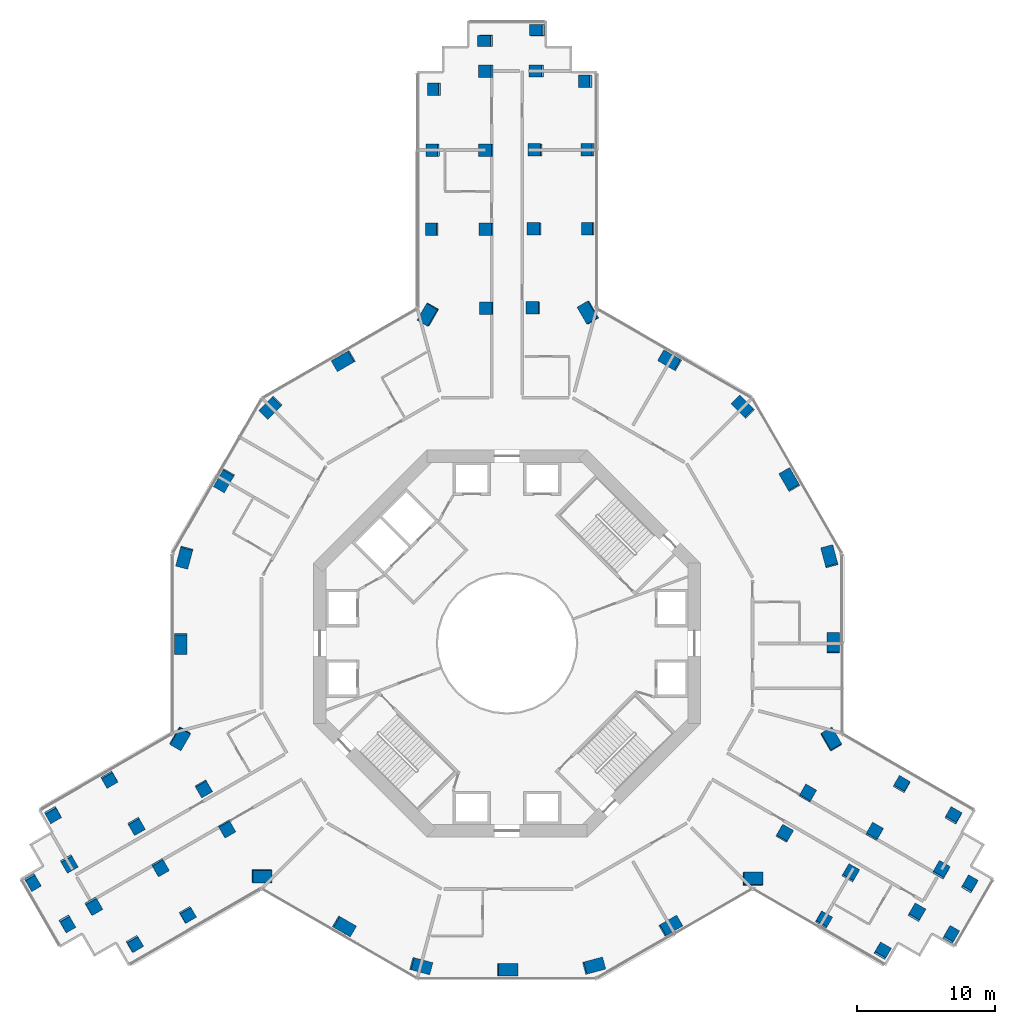
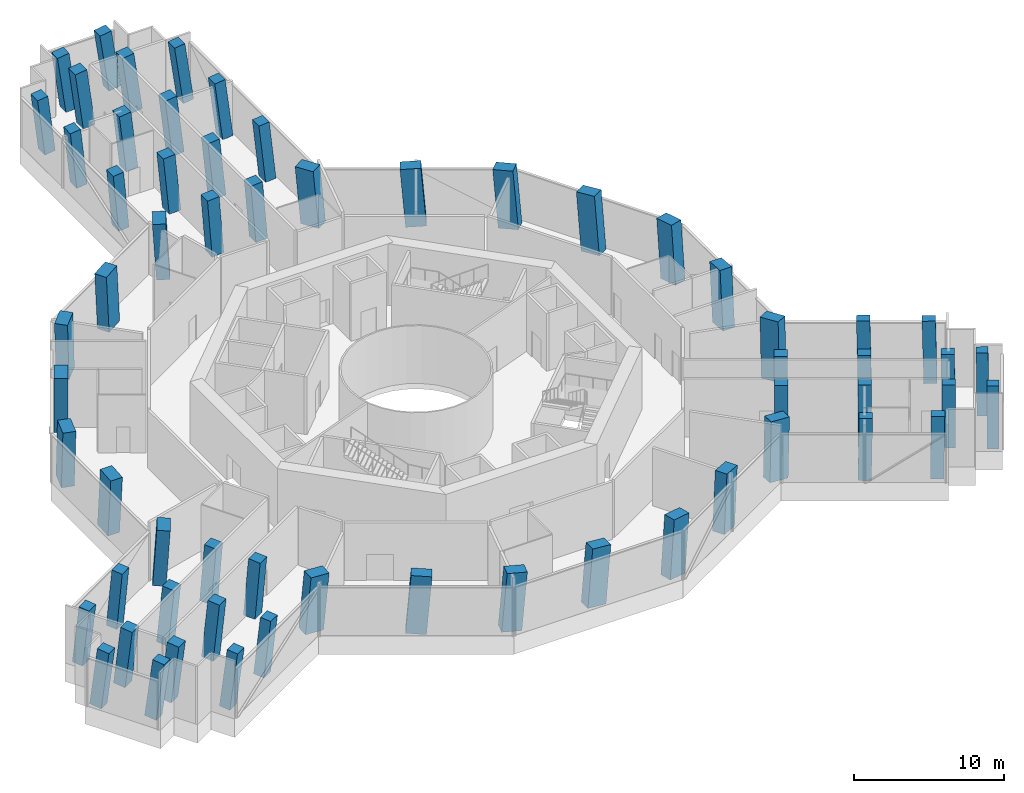
# One storey, part 1 of 16: 61 columns.
"""IFC4 building model written with IfcOpenShell, lengths in metres."""

from ifc_helpers import new_model, si_unit, direction, frame, origin, origin_2d, place, context, subcontext, project, spatial, rectangle, extrude, material, material_profile, profile_set, type_object, element, save


model = new_model("IFC4")

# Units and contexts
model_context = context("Model", 3, precision=1e-05, world=origin(), true_north=direction((0.0, 1.0)))
body_context = subcontext(model_context, "Body", "Model", "MODEL_VIEW")
ifc_project = project(units=[si_unit("LENGTHUNIT", "METRE"), si_unit("AREAUNIT", "SQUARE_METRE"), si_unit("VOLUMEUNIT", "CUBIC_METRE"), si_unit("PLANEANGLEUNIT", "RADIAN"), si_unit("MASSUNIT", "GRAM", prefix="KILO")], contexts=[model_context])

# Site, building, storey
site_placement = place(None, origin())
site = spatial("IfcSite", under=ifc_project, at=site_placement, CompositionType="ELEMENT")
building_placement = place(site_placement, origin())
building = spatial("IfcBuilding", under=site, at=building_placement, Name="Verdalira Terraces Hotel", CompositionType="ELEMENT")
storey_placement = place(building_placement, frame((0.0, 0.0, 34.0)))
storey = spatial("IfcBuildingStorey", under=building, at=storey_placement, Name="L06", CompositionType="ELEMENT", Elevation=34.0)

# Columns
ifc_material_1 = material(Name="Concrete C80", Category="concrete")
ifc_material_profile_1 = material_profile(ifc_material_1, rectangle(XDim=1.399902, YDim=0.899902, at=origin_2d()), Name="RC 1400X900")
ifc_profile_set_1 = profile_set([ifc_material_profile_1], Name="Concrete C80")
column_type_1 = type_object("IfcColumnType", Name="Column RC 1400X900 C80", PredefinedType="COLUMN", material=ifc_profile_set_1)
column_1_placement = place(storey_placement, frame((-5.679932, 23.784912, 0.0), z_axis=(-0.079276135, -0.019663387, 0.996658741), x_axis=(0.496015227, 0.866470496, 0.056548859)))
element("IfcColumn", 1, at=column_1_placement, inside=storey, type_object=column_type_1, Name="Column C07", PredefinedType="COLUMN", context=body_context, shape_type="SweptSolid", body=[
    extrude(rectangle(XDim=1.399902, YDim=0.899902, at=origin_2d()), origin(), (0.0, 0.0, 1.0), 4.705566),
])
column_2_placement = place(storey_placement, frame((-11.804199, 20.445312, 0.0), z_axis=(-0.067929504, -0.040010426, 0.99688753), x_axis=(-0.863199165, -0.498670621, -0.078834084)))
element("IfcColumn", 2, at=column_2_placement, inside=storey, type_object=column_type_1, Name="Column C08", PredefinedType="COLUMN", context=body_context, shape_type="SweptSolid", body=[
    extrude(rectangle(XDim=1.399902, YDim=0.899902, at=origin_2d()), origin(), (0.0, 0.0, 1.0), 4.70459),
])
column_3_placement = place(storey_placement, frame((-17.077393, 17.077393, 0.0), z_axis=(-0.056608184, -0.057490254, 0.996739878), x_axis=(0.705296544, 0.704306489, 0.08067934)))
element("IfcColumn", 3, at=column_3_placement, inside=storey, type_object=column_type_1, Name="Column C09", PredefinedType="COLUMN", context=body_context, shape_type="SweptSolid", body=[
    extrude(rectangle(XDim=1.399902, YDim=0.899902, at=origin_2d()), origin(), (0.0, 0.0, 1.0), 4.705322),
])
column_4_placement = place(storey_placement, frame((-20.445312, 11.804199, 0.0), z_axis=(-0.038868575, -0.068655708, 0.996882956), x_axis=(-0.498424045, -0.863336283, -0.078891906)))
element("IfcColumn", 4, at=column_4_placement, inside=storey, type_object=column_type_1, Name="Column C10", PredefinedType="COLUMN", context=body_context, shape_type="SweptSolid", body=[
    extrude(rectangle(XDim=1.399902, YDim=0.899902, at=origin_2d()), origin(), (0.0, 0.0, 1.0), 4.70459),
])
column_5_placement = place(storey_placement, frame((-23.328369, 6.250732, 0.0), z_axis=(-0.020235762, -0.078089285, 0.996740978), x_axis=(0.258160837, 0.962728424, 0.080665747)))
element("IfcColumn", 5, at=column_5_placement, inside=storey, type_object=column_type_1, Name="Column C11", PredefinedType="COLUMN", context=body_context, shape_type="SweptSolid", body=[
    extrude(rectangle(XDim=1.399902, YDim=0.899902, at=origin_2d()), origin(), (0.0, 0.0, 1.0), 4.705322),
])
column_6_placement = place(storey_placement, frame((-23.608398, 0.0, 0.0), z_axis=(0.000674622, -0.078878899, 0.996883977), x_axis=(0.000122014, -0.99688419, -0.078878998)))
element("IfcColumn", 6, at=column_6_placement, inside=storey, type_object=column_type_1, Name="Column C12", PredefinedType="COLUMN", context=body_context, shape_type="SweptSolid", body=[
    extrude(rectangle(XDim=1.399902, YDim=0.899902, at=origin_2d()), origin(), (0.0, 0.0, 1.0), 4.70459),
])
column_7_placement = place(storey_placement, frame((-23.658203, -6.846436, 0.0), z_axis=(0.023501596, -0.078805573, 0.996612942), x_axis=(0.502340995, 0.862829483, 0.056380922)))
element("IfcColumn", 7, at=column_7_placement, inside=storey, type_object=column_type_1, Name="Column C13", PredefinedType="COLUMN", context=body_context, shape_type="SweptSolid", body=[
    extrude(rectangle(XDim=1.399902, YDim=0.899902, at=origin_2d()), origin(), (0.0, 0.0, 1.0), 4.705811),
])
column_8_placement = place(storey_placement, frame((-17.758301, -16.811523, 0.0), z_axis=(0.056655458, -0.058834514, 0.996658748), x_axis=(-0.99839378, -0.003477523, 0.056548803)))
element("IfcColumn", 8, at=column_8_placement, inside=storey, type_object=column_type_1, Name="Column C20", PredefinedType="COLUMN", context=body_context, shape_type="SweptSolid", body=[
    extrude(rectangle(XDim=1.399902, YDim=0.899902, at=origin_2d()), origin(), (0.0, 0.0, 1.0), 4.705566),
])
column_9_placement = place(storey_placement, frame((-11.804199, -20.445312, 0.0), z_axis=(0.068655708, -0.038868575, 0.996882956), x_axis=(0.863336283, -0.498424045, -0.078891906)))
element("IfcColumn", 9, at=column_9_placement, inside=storey, type_object=column_type_1, Name="Column C21", PredefinedType="COLUMN", context=body_context, shape_type="SweptSolid", body=[
    extrude(rectangle(XDim=1.399902, YDim=0.899902, at=origin_2d()), origin(), (0.0, 0.0, 1.0), 4.70459),
])
column_10_placement = place(storey_placement, frame((-6.250732, -23.328369, 0.0), z_axis=(0.078089285, -0.020235762, 0.996740978), x_axis=(-0.962728424, 0.258160837, 0.080665747)))
element("IfcColumn", 10, at=column_10_placement, inside=storey, type_object=column_type_1, Name="Column C22", PredefinedType="COLUMN", context=body_context, shape_type="SweptSolid", body=[
    extrude(rectangle(XDim=1.399902, YDim=0.899902, at=origin_2d()), origin(), (0.0, 0.0, 1.0), 4.705322),
])
column_11_placement = place(storey_placement, frame((0.0, -23.608398, 0.0), z_axis=(0.078878899, 0.000674622, 0.996883977), x_axis=(0.99688419, 0.000122014, -0.078878998)))
element("IfcColumn", 11, at=column_11_placement, inside=storey, type_object=column_type_1, Name="Column C23", PredefinedType="COLUMN", context=body_context, shape_type="SweptSolid", body=[
    extrude(rectangle(XDim=1.399902, YDim=0.899902, at=origin_2d()), origin(), (0.0, 0.0, 1.0), 4.70459),
])
column_12_placement = place(storey_placement, frame((6.250732, -23.328369, 0.0), z_axis=(0.077777746, 0.021532865, 0.996738159), x_axis=(-0.962812988, -0.257834381, 0.080700569)))
element("IfcColumn", 12, at=column_12_placement, inside=storey, type_object=column_type_1, Name="Column C24", PredefinedType="COLUMN", context=body_context, shape_type="SweptSolid", body=[
    extrude(rectangle(XDim=1.399902, YDim=0.899902, at=origin_2d()), origin(), (0.0, 0.0, 1.0), 4.705322),
])
column_13_placement = place(storey_placement, frame((11.804199, -20.445312, 0.0), z_axis=(0.067929504, 0.040010426, 0.99688753), x_axis=(0.863199165, 0.498670621, -0.078834084)))
element("IfcColumn", 13, at=column_13_placement, inside=storey, type_object=column_type_1, Name="Column C25", PredefinedType="COLUMN", context=body_context, shape_type="SweptSolid", body=[
    extrude(rectangle(XDim=1.399902, YDim=0.899902, at=origin_2d()), origin(), (0.0, 0.0, 1.0), 4.70459),
])
column_14_placement = place(storey_placement, frame((17.758301, -17.06543, 0.0), z_axis=(0.05649718, 0.059765612, 0.996612332), x_axis=(-0.998402745, 0.003546595, 0.056385992)))
element("IfcColumn", 14, at=column_14_placement, inside=storey, type_object=column_type_1, Name="Column C26", PredefinedType="COLUMN", context=body_context, shape_type="SweptSolid", body=[
    extrude(rectangle(XDim=1.399902, YDim=0.899902, at=origin_2d()), origin(), (0.0, 0.0, 1.0), 4.705811),
])
column_15_placement = place(storey_placement, frame((23.438232, -6.973389, 0.0), z_axis=(0.0226726, 0.078446157, 0.996660501), x_axis=(0.501613341, -0.863242703, 0.056533989)))
element("IfcColumn", 15, at=column_15_placement, inside=storey, type_object=column_type_1, Name="Column C33", PredefinedType="COLUMN", context=body_context, shape_type="SweptSolid", body=[
    extrude(rectangle(XDim=1.399902, YDim=0.899902, at=origin_2d()), origin(), (0.0, 0.0, 1.0), 4.705566),
])
column_16_placement = place(storey_placement, frame((23.608398, 0.0, 0.0), z_axis=(-0.000674622, 0.078878899, 0.996883977), x_axis=(-0.000122014, 0.99688419, -0.078878998)))
element("IfcColumn", 16, at=column_16_placement, inside=storey, type_object=column_type_1, Name="Column C34", PredefinedType="COLUMN", context=body_context, shape_type="SweptSolid", body=[
    extrude(rectangle(XDim=1.399902, YDim=0.899902, at=origin_2d()), origin(), (0.0, 0.0, 1.0), 4.70459),
])
column_17_placement = place(storey_placement, frame((23.328369, 6.250732, 0.0), z_axis=(-0.021532865, 0.077777746, 0.996738159), x_axis=(0.257834381, -0.962812988, 0.080700569)))
element("IfcColumn", 17, at=column_17_placement, inside=storey, type_object=column_type_1, Name="Column C35", PredefinedType="COLUMN", context=body_context, shape_type="SweptSolid", body=[
    extrude(rectangle(XDim=1.399902, YDim=0.899902, at=origin_2d()), origin(), (0.0, 0.0, 1.0), 4.705322),
])
column_18_placement = place(storey_placement, frame((20.445312, 11.804199, 0.0), z_axis=(-0.040010426, 0.067929504, 0.99688753), x_axis=(-0.498670621, 0.863199165, -0.078834084)))
element("IfcColumn", 18, at=column_18_placement, inside=storey, type_object=column_type_1, Name="Column C36", PredefinedType="COLUMN", context=body_context, shape_type="SweptSolid", body=[
    extrude(rectangle(XDim=1.399902, YDim=0.899902, at=origin_2d()), origin(), (0.0, 0.0, 1.0), 4.70459),
])
column_19_placement = place(storey_placement, frame((17.077393, 17.077393, 0.0), z_axis=(-0.057490254, 0.056608184, 0.996739878), x_axis=(0.704306489, -0.705296544, 0.08067934)))
element("IfcColumn", 19, at=column_19_placement, inside=storey, type_object=column_type_1, Name="Column C37", PredefinedType="COLUMN", context=body_context, shape_type="SweptSolid", body=[
    extrude(rectangle(XDim=1.399902, YDim=0.899902, at=origin_2d()), origin(), (0.0, 0.0, 1.0), 4.705322),
])
column_20_placement = place(storey_placement, frame((11.804199, 20.445312, 0.0), z_axis=(-0.068655708, 0.038868575, 0.996882956), x_axis=(-0.863336283, 0.498424045, -0.078891906)))
element("IfcColumn", 20, at=column_20_placement, inside=storey, type_object=column_type_1, Name="Column C38", PredefinedType="COLUMN", context=body_context, shape_type="SweptSolid", body=[
    extrude(rectangle(XDim=1.399902, YDim=0.899902, at=origin_2d()), origin(), (0.0, 0.0, 1.0), 4.70459),
])
column_21_placement = place(storey_placement, frame((5.899902, 23.911865, 0.0), z_axis=(-0.079998823, 0.019039928, 0.996613099), x_axis=(0.49616409, -0.866396292, 0.056379618)))
element("IfcColumn", 21, at=column_21_placement, inside=storey, type_object=column_type_1, Name="Column C39", PredefinedType="COLUMN", context=body_context, shape_type="SweptSolid", body=[
    extrude(rectangle(XDim=1.399902, YDim=0.899902, at=origin_2d()), origin(), (0.0, 0.0, 1.0), 4.705811),
])
ifc_material_2 = material(Name="Concrete C80", Category="concrete")
ifc_material_profile_2 = material_profile(ifc_material_2, rectangle(XDim=0.899902, YDim=0.800049, at=origin_2d()), Name="RC 900X800")
ifc_profile_set_2 = profile_set([ifc_material_profile_2], Name="Concrete C80")
column_type_2 = type_object("IfcColumnType", Name="Column RC 900X800 C80", PredefinedType="COLUMN", material=ifc_profile_set_2)
column_22_placement = place(storey_placement, frame((5.899902, 29.972168, 0.0), z_axis=(-0.100053015, 0.017193375, 0.994833545), x_axis=(0.00174322, 0.999852183, -0.01710479)))
element("IfcColumn", 22, at=column_22_placement, inside=storey, type_object=column_type_2, Name="Column C01", PredefinedType="COLUMN", context=body_context, shape_type="SweptSolid", body=[
    extrude(rectangle(XDim=0.899902, YDim=0.800049, at=origin_2d()), origin(), (0.0, 0.0, 1.0), 4.714355),
])
column_23_placement = place(storey_placement, frame((5.899902, 35.686035, 0.0), z_axis=(-0.118815208, 0.015401014, 0.992796935), x_axis=(0.002183122, 0.999881334, -0.015249643)))
element("IfcColumn", 23, at=column_23_placement, inside=storey, type_object=column_type_2, Name="Column C02", PredefinedType="COLUMN", context=body_context, shape_type="SweptSolid", body=[
    extrude(rectangle(XDim=0.899902, YDim=0.800049, at=origin_2d()), origin(), (0.0, 0.0, 1.0), 4.723877),
])
column_24_placement = place(storey_placement, frame((5.73999, 40.639893, 0.0), z_axis=(-0.134972814, 0.013048575, 0.990763379), x_axis=(0.001945518, 0.999914846, -0.012904062)))
element("IfcColumn", 24, at=column_24_placement, inside=storey, type_object=column_type_2, Name="Column C03", PredefinedType="COLUMN", context=body_context, shape_type="SweptSolid", body=[
    extrude(rectangle(XDim=0.899902, YDim=0.800049, at=origin_2d()), origin(), (0.0, 0.0, 1.0), 4.733643),
])
column_25_placement = place(storey_placement, frame((-5.199951, 40.100098, 0.0), z_axis=(-0.132921726, -0.023314172, 0.990852292), x_axis=(0.003323735, -0.999728162, -0.02307714)))
element("IfcColumn", 25, at=column_25_placement, inside=storey, type_object=column_type_2, Name="Column C04", PredefinedType="COLUMN", context=body_context, shape_type="SweptSolid", body=[
    extrude(rectangle(XDim=0.899902, YDim=0.800049, at=origin_2d()), origin(), (0.0, 0.0, 1.0), 4.733154),
])
column_26_placement = place(storey_placement, frame((-5.300049, 35.686035, 0.0), z_axis=(-0.118495219, -0.021859345, 0.992713983), x_axis=(0.002294646, -0.999761011, -0.021740619)))
element("IfcColumn", 26, at=column_26_placement, inside=storey, type_object=column_type_2, Name="Column C05", PredefinedType="COLUMN", context=body_context, shape_type="SweptSolid", body=[
    extrude(rectangle(XDim=0.899902, YDim=0.800049, at=origin_2d()), origin(), (0.0, 0.0, 1.0), 4.724365),
])
column_27_placement = place(storey_placement, frame((-5.389893, 29.972168, 0.0), z_axis=(-0.099739261, -0.020455352, 0.994803326), x_axis=(0.002132104, -0.999790763, -0.020344139)))
element("IfcColumn", 27, at=column_27_placement, inside=storey, type_object=column_type_2, Name="Column C06", PredefinedType="COLUMN", context=body_context, shape_type="SweptSolid", body=[
    extrude(rectangle(XDim=0.899902, YDim=0.800049, at=origin_2d()), origin(), (0.0, 0.0, 1.0), 4.714355),
])
column_28_placement = place(storey_placement, frame((-28.782715, -9.804932, 0.0), z_axis=(0.035580126, -0.094414222, 0.994896984), x_axis=(-0.866822698, -0.498350232, -0.016292831)))
element("IfcColumn", 28, at=column_28_placement, inside=storey, type_object=column_type_2, Name="Column C14", PredefinedType="COLUMN", context=body_context, shape_type="SweptSolid", body=[
    extrude(rectangle(XDim=0.899902, YDim=0.800049, at=origin_2d()), origin(), (0.0, 0.0, 1.0), 4.714111),
])
column_29_placement = place(storey_placement, frame((-32.869141, -12.349121, 0.0), z_axis=(0.046223503, -0.106510533, 0.993236575), x_axis=(-0.866716283, -0.498628466, -0.013135361)))
element("IfcColumn", 29, at=column_29_placement, inside=storey, type_object=column_type_2, Name="Column C15", PredefinedType="COLUMN", context=body_context, shape_type="SweptSolid", body=[
    extrude(rectangle(XDim=0.899902, YDim=0.800049, at=origin_2d()), origin(), (0.0, 0.0, 1.0), 4.721924),
])
column_30_placement = place(storey_placement, frame((-34.337158, -17.226318, 0.0), z_axis=(0.062422406, -0.111162481, 0.991839879), x_axis=(0.495973758, -0.858928798, -0.12748079)))
element("IfcColumn", 30, at=column_30_placement, inside=storey, type_object=column_type_2, Name="Column C16", PredefinedType="COLUMN", context=body_context, shape_type="SweptSolid", body=[
    extrude(rectangle(XDim=0.899902, YDim=0.800049, at=origin_2d()), origin(), (0.0, 0.0, 1.0), 4.728516),
])
column_31_placement = place(storey_placement, frame((-31.845459, -20.221924, 0.0), z_axis=(0.072300685, -0.102821902, 0.992068681), x_axis=(0.49455259, -0.860085147, -0.125184964)))
element("IfcColumn", 31, at=column_31_placement, inside=storey, type_object=column_type_2, Name="Column C17", PredefinedType="COLUMN", context=body_context, shape_type="SweptSolid", body=[
    extrude(rectangle(XDim=0.899902, YDim=0.800049, at=origin_2d()), origin(), (0.0, 0.0, 1.0), 4.727539),
])
column_32_placement = place(storey_placement, frame((-26.968018, -21.689941, 0.0), z_axis=(0.077143384, -0.086657046, 0.993246925), x_axis=(0.864582927, 0.501947006, -0.023357342)))
element("IfcColumn", 32, at=column_32_placement, inside=storey, type_object=column_type_2, Name="Column C18", PredefinedType="COLUMN", context=body_context, shape_type="SweptSolid", body=[
    extrude(rectangle(XDim=0.899902, YDim=0.800049, at=origin_2d()), origin(), (0.0, 0.0, 1.0), 4.721924),
])
column_33_placement = place(storey_placement, frame((-23.132812, -19.591064, 0.0), z_axis=(0.068048674, -0.075298913, 0.994836394), x_axis=(0.864820911, 0.501633241, -0.021186879)))
element("IfcColumn", 33, at=column_33_placement, inside=storey, type_object=column_type_2, Name="Column C19", PredefinedType="COLUMN", context=body_context, shape_type="SweptSolid", body=[
    extrude(rectangle(XDim=0.899902, YDim=0.800049, at=origin_2d()), origin(), (0.0, 0.0, 1.0), 4.714355),
])
column_34_placement = place(storey_placement, frame((22.882812, -20.02417, 0.0), z_axis=(0.063961279, 0.078048297, 0.994895682), x_axis=(0.865135973, -0.501272605, -0.016294904)))
element("IfcColumn", 34, at=column_34_placement, inside=storey, type_object=column_type_2, Name="Column C27", PredefinedType="COLUMN", context=body_context, shape_type="SweptSolid", body=[
    extrude(rectangle(XDim=0.899902, YDim=0.800049, at=origin_2d()), origin(), (0.0, 0.0, 1.0), 4.714111),
])
column_35_placement = place(storey_placement, frame((27.12915, -22.291016, 0.0), z_axis=(0.069128184, 0.093325633, 0.993232914), x_axis=(0.865287752, -0.501103258, -0.013138904)))
element("IfcColumn", 35, at=column_35_placement, inside=storey, type_object=column_type_2, Name="Column C28", PredefinedType="COLUMN", context=body_context, shape_type="SweptSolid", body=[
    extrude(rectangle(XDim=0.899902, YDim=0.800049, at=origin_2d()), origin(), (0.0, 0.0, 1.0), 4.721924),
])
column_36_placement = place(storey_placement, frame((32.087158, -21.123535, 0.0), z_axis=(0.0650044, 0.109614251, 0.991846331), x_axis=(0.495648676, 0.859123876, -0.127430592)))
element("IfcColumn", 36, at=column_36_placement, inside=storey, type_object=column_type_2, Name="Column C29", PredefinedType="COLUMN", context=body_context, shape_type="SweptSolid", body=[
    extrude(rectangle(XDim=0.899902, YDim=0.800049, at=origin_2d()), origin(), (0.0, 0.0, 1.0), 4.728516),
])
column_37_placement = place(storey_placement, frame((33.435547, -17.468018, 0.0), z_axis=(0.052831304, 0.114028856, 0.992071708), x_axis=(0.497168872, 0.858578939, -0.125161169)))
element("IfcColumn", 37, at=column_37_placement, inside=storey, type_object=column_type_2, Name="Column C30", PredefinedType="COLUMN", context=body_context, shape_type="SweptSolid", body=[
    extrude(rectangle(XDim=0.899902, YDim=0.800049, at=origin_2d()), origin(), (0.0, 0.0, 1.0), 4.727539),
])
column_38_placement = place(storey_placement, frame((32.268066, -12.51001, 0.0), z_axis=(0.036451855, 0.110131135, 0.993248406), x_axis=(-0.86707913, 0.497622684, -0.023354791)))
element("IfcColumn", 38, at=column_38_placement, inside=storey, type_object=column_type_2, Name="Column C31", PredefinedType="COLUMN", context=body_context, shape_type="SweptSolid", body=[
    extrude(rectangle(XDim=0.899902, YDim=0.800049, at=origin_2d()), origin(), (0.0, 0.0, 1.0), 4.721924),
])
column_39_placement = place(storey_placement, frame((28.532715, -10.238037, 0.0), z_axis=(0.031176032, 0.096583555, 0.994836505), x_axis=(-0.866889507, 0.498049906, -0.021186652)))
element("IfcColumn", 39, at=column_39_placement, inside=storey, type_object=column_type_2, Name="Column C32", PredefinedType="COLUMN", context=body_context, shape_type="SweptSolid", body=[
    extrude(rectangle(XDim=0.899902, YDim=0.800049, at=origin_2d()), origin(), (0.0, 0.0, 1.0), 4.714355),
])
column_40_placement = place(storey_placement, frame((2.25, 44.350098, 0.0), z_axis=(-0.147005719, 0.001287265, 0.989134804), x_axis=(-0.989135591, -0.000512241, -0.14700517)))
element("IfcColumn", 40, at=column_40_placement, inside=storey, type_object=column_type_2, Name="Column C40", PredefinedType="COLUMN", context=body_context, shape_type="SweptSolid", body=[
    extrude(rectangle(XDim=0.899902, YDim=0.800049, at=origin_2d()), origin(), (0.0, 0.0, 1.0), 4.741455),
])
column_41_placement = place(storey_placement, frame((-1.48999, 43.590088, 0.0), z_axis=(-0.144426231, -0.011074051, 0.989453601), x_axis=(-0.989515553, 0.001427988, -0.144419292)))
element("IfcColumn", 41, at=column_41_placement, inside=storey, type_object=column_type_2, Name="Column C41", PredefinedType="COLUMN", context=body_context, shape_type="SweptSolid", body=[
    extrude(rectangle(XDim=0.899902, YDim=0.800049, at=origin_2d()), origin(), (0.0, 0.0, 1.0), 4.73999),
])
ifc_material_3 = material(Name="Concrete C80", Category="concrete")
ifc_material_profile_3 = material_profile(ifc_material_3, rectangle(XDim=0.899902, YDim=0.899902, at=origin_2d()), Name="RC 900X900")
ifc_profile_set_3 = profile_set([ifc_material_profile_3], Name="Concrete C80")
column_type_3 = type_object("IfcColumnType", Name="Column RC 900X900 C80", PredefinedType="COLUMN", material=ifc_profile_set_3)
for number, where, z_axis, x_axis, name in (
    (42, (1.906494, 24.258301, 0.0), (-0.081094564, 0.005707231, 0.996690072), (0.000673561, 0.999983691, -0.005671287), "Column C42"),
    (43, (-1.449951, 24.258301, 0.0), (-0.080991572, -0.005499748, 0.996699613), (-0.000167715, 0.999984837, 0.005504247), "Column C43"),
):
    element("IfcColumn", number, at=place(storey_placement, frame(where, z_axis=z_axis, x_axis=x_axis)), inside=storey, type_object=column_type_3, Name=name, PredefinedType="COLUMN", context=body_context, shape_type="SweptSolid", body=[
        extrude(rectangle(XDim=0.899902, YDim=0.899902, at=origin_2d()), origin(), (0.0, 0.0, 1.0), 4.705566),
    ])
for number, where, z_axis, x_axis, name in (
    (44, (2.001953, 29.972168, 0.0), (-0.099913094, 0.004195418, 0.994987323), (0.000419819, 0.999991199, -0.00417436), "Column C44"),
    (45, (-1.449951, 29.972168, 0.0), (-0.099860032, -0.007303042, 0.994974693), (-0.000640868, 0.999973328, 0.007275411), "Column C45"),
):
    element("IfcColumn", number, at=place(storey_placement, frame(where, z_axis=z_axis, x_axis=x_axis)), inside=storey, type_object=column_type_3, Name=name, PredefinedType="COLUMN", context=body_context, shape_type="SweptSolid", body=[
        extrude(rectangle(XDim=0.899902, YDim=0.899902, at=origin_2d()), origin(), (0.0, 0.0, 1.0), 4.713623),
    ])
column_42_placement = place(storey_placement, frame((2.097656, 35.686035, 0.0), z_axis=(-0.118726939, 0.002739455, 0.992923164), x_axis=(0.000570173, 0.999996217, -0.002690792)))
element("IfcColumn", 46, at=column_42_placement, inside=storey, type_object=column_type_3, Name="Column C46", PredefinedType="COLUMN", context=body_context, shape_type="SweptSolid", body=[
    extrude(rectangle(XDim=0.899902, YDim=0.899902, at=origin_2d()), origin(), (0.0, 0.0, 1.0), 4.723389),
])
column_43_placement = place(storey_placement, frame((-1.449951, 35.686035, 0.0), z_axis=(-0.11867157, -0.009045089, 0.992892363), x_axis=(-0.000653493, 0.999959003, 0.009031359)))
element("IfcColumn", 47, at=column_43_placement, inside=storey, type_object=column_type_3, Name="Column C47", PredefinedType="COLUMN", context=body_context, shape_type="SweptSolid", body=[
    extrude(rectangle(XDim=0.899902, YDim=0.899902, at=origin_2d()), origin(), (0.0, 0.0, 1.0), 4.723633),
])
column_44_placement = place(storey_placement, frame((2.193115, 41.399902, 0.0), z_axis=(-0.137363105, 0.001237505, 0.990519988), x_axis=(0.000231727, 0.999999232, -0.001217213)))
element("IfcColumn", 48, at=column_44_placement, inside=storey, type_object=column_type_3, Name="Column C48", PredefinedType="COLUMN", context=body_context, shape_type="SweptSolid", body=[
    extrude(rectangle(XDim=0.899902, YDim=0.899902, at=origin_2d()), origin(), (0.0, 0.0, 1.0), 4.734863),
])
column_45_placement = place(storey_placement, frame((-1.449951, 41.399902, 0.0), z_axis=(-0.13730457, -0.010827623, 0.990469695), x_axis=(-0.001224467, 0.999941345, 0.010761423)))
element("IfcColumn", 49, at=column_45_placement, inside=storey, type_object=column_type_3, Name="Column C49", PredefinedType="COLUMN", context=body_context, shape_type="SweptSolid", body=[
    extrude(rectangle(XDim=0.899902, YDim=0.899902, at=origin_2d()), origin(), (0.0, 0.0, 1.0), 4.735107),
])
for number, where, z_axis, x_axis, name in (
    (50, (-21.961426, -10.478027, 0.0), (0.035592329, -0.073104361, 0.996688988), (-0.866472172, -0.49919315, -0.005672214), "Column C50"),
    (51, (-20.283203, -13.38501, 0.0), (0.045243379, -0.067346222, 0.996703328), (-0.865853492, -0.500267396, 0.005501154), "Column C51"),
):
    element("IfcColumn", number, at=place(storey_placement, frame(where, z_axis=z_axis, x_axis=x_axis)), inside=storey, type_object=column_type_3, Name=name, PredefinedType="COLUMN", context=body_context, shape_type="SweptSolid", body=[
        extrude(rectangle(XDim=0.899902, YDim=0.899902, at=origin_2d()), origin(), (0.0, 0.0, 1.0), 4.705566),
    ])
for number, where, z_axis, x_axis, name in (
    (52, (-26.83252, -13.182861, 0.0), (0.046825067, -0.087848797, 0.995032664), (-0.866183963, -0.499713993, -0.003356826), "Column C52"),
    (53, (-25.10791, -16.17041, 0.0), (0.056769187, -0.081994182, 0.99501468), (-0.865410658, -0.500997948, 0.008090074), "Column C53"),
):
    element("IfcColumn", number, at=place(storey_placement, frame(where, z_axis=z_axis, x_axis=x_axis)), inside=storey, type_object=column_type_3, Name=name, PredefinedType="COLUMN", context=body_context, shape_type="SweptSolid", body=[
        extrude(rectangle(XDim=0.899902, YDim=0.899902, at=origin_2d()), origin(), (0.0, 0.0, 1.0), 4.713379),
    ])
for number, where, z_axis, x_axis, name in (
    (54, (-31.703613, -15.887695, 0.0), (0.057949029, -0.102509298, 0.993042675), (-0.866106783, -0.499857902, -0.001057393), "Column C54"),
    (55, (-29.932373, -18.955811, 0.0), (0.068129672, -0.09650842, 0.99299772), (-0.865230888, -0.501260571, 0.010646581), "Column C55"),
):
    element("IfcColumn", number, at=place(storey_placement, frame(where, z_axis=z_axis, x_axis=x_axis)), inside=storey, type_object=column_type_3, Name=name, PredefinedType="COLUMN", context=body_context, shape_type="SweptSolid", body=[
        extrude(rectangle(XDim=0.899902, YDim=0.899902, at=origin_2d()), origin(), (0.0, 0.0, 1.0), 4.7229),
    ])
for number, where, z_axis, x_axis, name in (
    (56, (20.055176, -13.780273, 0.0), (0.04545033, 0.067397236, 0.996690463), (0.865948289, -0.500101391, -0.005670952), "Column C56"),
    (57, (21.733398, -10.873291, 0.0), (0.035696641, 0.072846052, 0.99670417), (0.866175481, -0.499709696, 0.005500452), "Column C57"),
):
    element("IfcColumn", number, at=place(storey_placement, frame(where, z_axis=z_axis, x_axis=x_axis)), inside=storey, type_object=column_type_3, Name=name, PredefinedType="COLUMN", context=body_context, shape_type="SweptSolid", body=[
        extrude(rectangle(XDim=0.899902, YDim=0.899902, at=origin_2d()), origin(), (0.0, 0.0, 1.0), 4.705566),
    ])
for number, where, z_axis, x_axis, name in (
    (58, (24.833008, -16.64624, 0.0), (0.052678372, 0.08443043, 0.995035925), (0.865685996, -0.500576163, -0.003355727), "Column C58"),
    (59, (26.557861, -13.658691, 0.0), (0.042628812, 0.090126528, 0.995017584), (0.866489446, -0.499129872, 0.008087723), "Column C59"),
):
    element("IfcColumn", number, at=place(storey_placement, frame(where, z_axis=z_axis, x_axis=x_axis)), inside=storey, type_object=column_type_3, Name=name, PredefinedType="COLUMN", context=body_context, shape_type="SweptSolid", body=[
        extrude(rectangle(XDim=0.899902, YDim=0.899902, at=origin_2d()), origin(), (0.0, 0.0, 1.0), 4.713379),
    ])
column_46_placement = place(storey_placement, frame((29.611084, -19.512207, 0.0), z_axis=(0.059758572, 0.10142415, 0.993046854), x_axis=(0.866064678, -0.499930852, -0.001057076)))
element("IfcColumn", 60, at=column_46_placement, inside=storey, type_object=column_type_3, Name="Column C60", PredefinedType="COLUMN", context=body_context, shape_type="SweptSolid", body=[
    extrude(rectangle(XDim=0.899902, YDim=0.899902, at=origin_2d()), origin(), (0.0, 0.0, 1.0), 4.7229),
])
column_47_placement = place(storey_placement, frame((31.382324, -16.444336, 0.0), z_axis=(0.049520344, 0.107311309, 0.992991449), x_axis=(0.866792799, -0.498554704, 0.010651331)))
element("IfcColumn", 61, at=column_47_placement, inside=storey, type_object=column_type_3, Name="Column C61", PredefinedType="COLUMN", context=body_context, shape_type="SweptSolid", body=[
    extrude(rectangle(XDim=0.899902, YDim=0.899902, at=origin_2d()), origin(), (0.0, 0.0, 1.0), 4.723145),
])

save(model, "model.ifc")
